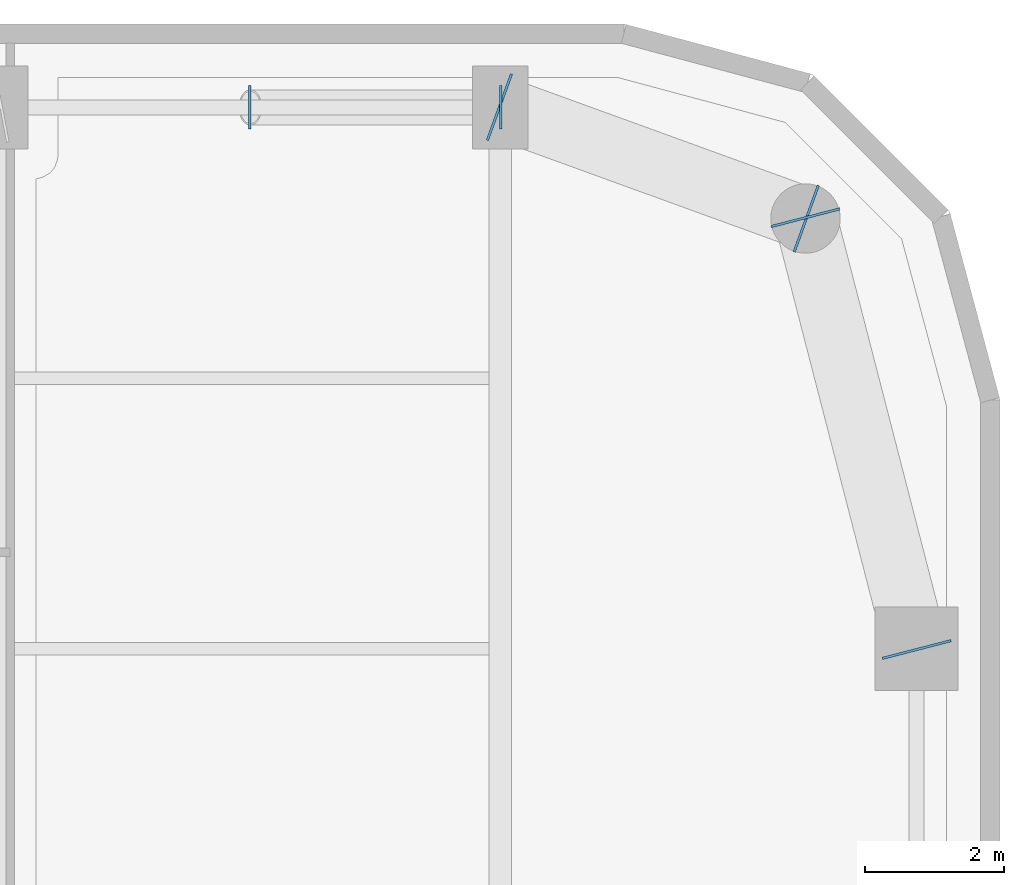
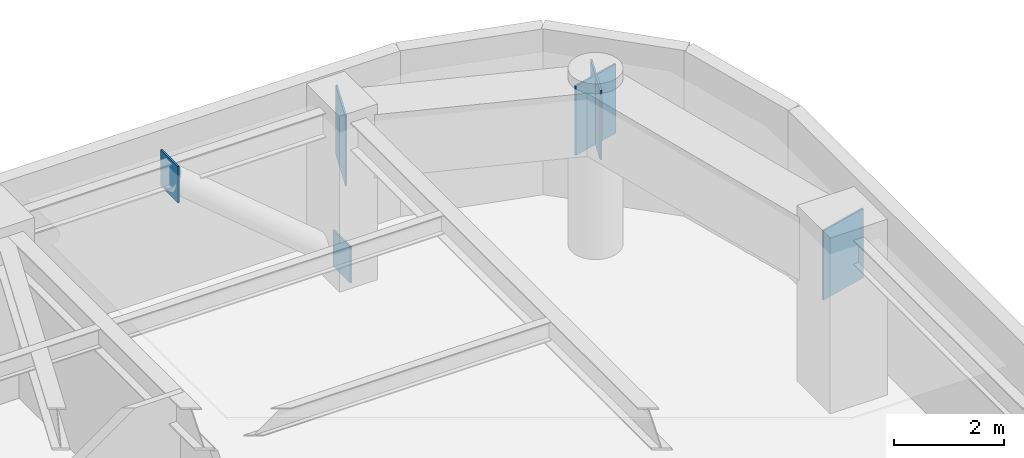
# One storey, part 23 of 30: 6 plates.
"""IFC4 building model written with IfcOpenShell, lengths in metres."""

from ifc_helpers import new_model, si_unit, direction, frame, origin, origin_2d, place, context, subcontext, project, spatial, rectangle, extrude, material, layer, layer_set, type_object, element, save


model = new_model("IFC4")

# Units and contexts
model_context = context("Model", 3, precision=1e-05, world=origin(), true_north=direction((0.0, 1.0)))
body_context = subcontext(model_context, "Body", "Model", "MODEL_VIEW")
ifc_project = project(units=[si_unit("LENGTHUNIT", "METRE"), si_unit("AREAUNIT", "SQUARE_METRE"), si_unit("VOLUMEUNIT", "CUBIC_METRE"), si_unit("PLANEANGLEUNIT", "RADIAN"), si_unit("MASSUNIT", "GRAM", prefix="KILO")], contexts=[model_context])

# Site, building, storey
site_placement = place(None, origin())
site = spatial("IfcSite", under=ifc_project, at=site_placement, CompositionType="ELEMENT")
building_placement = place(site_placement, origin())
building = spatial("IfcBuilding", under=site, at=building_placement, Name="Kiyonajd Concourse Tower", CompositionType="ELEMENT")
storey_placement = place(building_placement, frame((0.0, 0.0, 198.0)))
storey = spatial("IfcBuildingStorey", under=building, at=storey_placement, Name="L50", CompositionType="ELEMENT", Elevation=198.0)

# Plates
ifc_material = material(Name="Steel ASTM A572 Grade 50", Category="steel")
ifc_layer_1 = layer(ifc_material, 0.028076171875)
ifc_layer_set_1 = layer_set([ifc_layer_1], Name="Steel ASTM A572 Grade 50")
plate_type_1 = type_object("IfcPlateType", Name="PL-CAP-450", PredefinedType="USERDEFINED", material=ifc_layer_set_1)
for number, where, z_axis, x_axis, name in (
    (1, (63.6083984375, 61.199951171875, -0.10888671875), (0.0, 0.0, 1.0), (1.0, 0.0, 0.0), "L50 Hollow Brace End Cap Plate PBN"),
    (2, (59.99169921875, 61.199951171875, 2.93505859375), (0.0, 0.0, 1.0), (-1.0, 0.0, 0.0), "L50 Hollow Brace Top Cap Plate PBN"),
):
    element("IfcPlate", number, at=place(storey_placement, frame(where, z_axis=z_axis, x_axis=x_axis)), inside=storey, type_object=plate_type_1, Name=name, ObjectType="CAP PLATE", PredefinedType="USERDEFINED", context=body_context, shape_type="SweptSolid", body=[
        extrude(rectangle(XDim=0.035888671875, YDim=0.6279296875, at=origin_2d()), origin(), (0.0, 0.0, 1.0), 0.803955078125),
    ])
ifc_layer_2 = layer(ifc_material, 0.031982421875)
ifc_layer_set_2 = layer_set([ifc_layer_2], Name="Steel ASTM A572 Grade 50")
plate_type_2 = type_object("IfcPlateType", Name="PL-CAP-540", PredefinedType="USERDEFINED", material=ifc_layer_set_2)
for number, where, z_axis, x_axis, name in (
    (3, (69.602783203125, 53.389404296875, 2.2099609375), (0.0, 0.0, 1.0), (0.249873048837, -0.968278606324, 0.0), "L50 Welded Box Girder End Cap"),
    (4, (67.997314453125, 59.610595703125, 2.2099609375), (0.0, 0.0, 1.0), (-0.249873048837, 0.968278606324, 0.0), "L50 Welded Box Girder End Cap"),
    (5, (68.01025390625, 59.59619140625, 2.2099609375), (0.0, 0.0, 1.0), (0.939811951086, -0.341692107891, 0.0), "L50 Welded Box Girder End Cap"),
    (6, (63.589599609375, 61.203857421875, 2.2099609375), (0.0, 0.0, 1.0), (-0.939811951086, 0.341692107891, 0.0), "L50 Welded Box Girder End Cap"),
):
    element("IfcPlate", number, at=place(storey_placement, frame(where, z_axis=z_axis, x_axis=x_axis)), inside=storey, type_object=plate_type_2, Name=name, ObjectType="CAP PLATE", PredefinedType="USERDEFINED", context=body_context, shape_type="SweptSolid", body=[
        extrude(rectangle(XDim=0.035888671875, YDim=1.02001953125, at=origin_2d()), origin(), (0.0, 0.0, 1.0), 1.5400390625),
    ])

save(model, "model.ifc")
